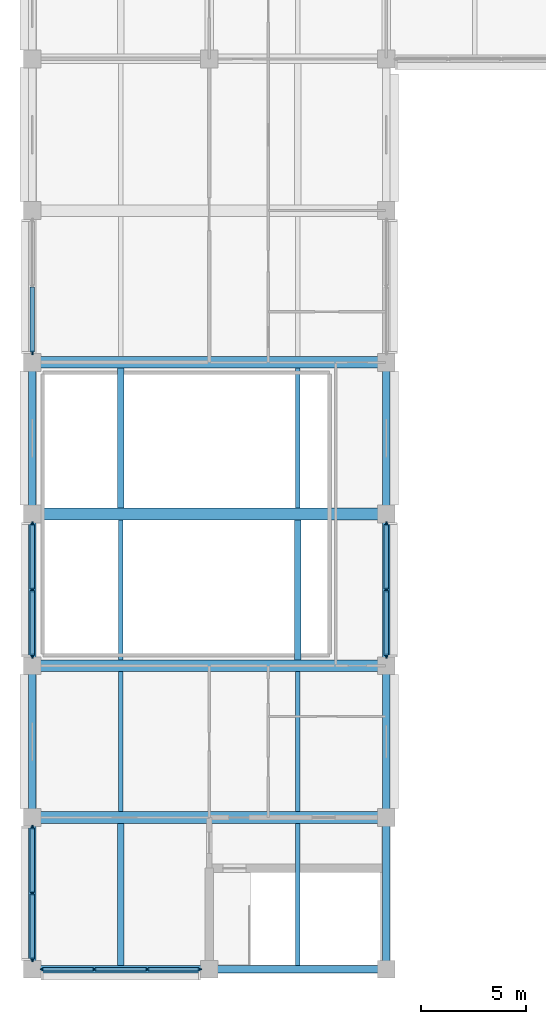
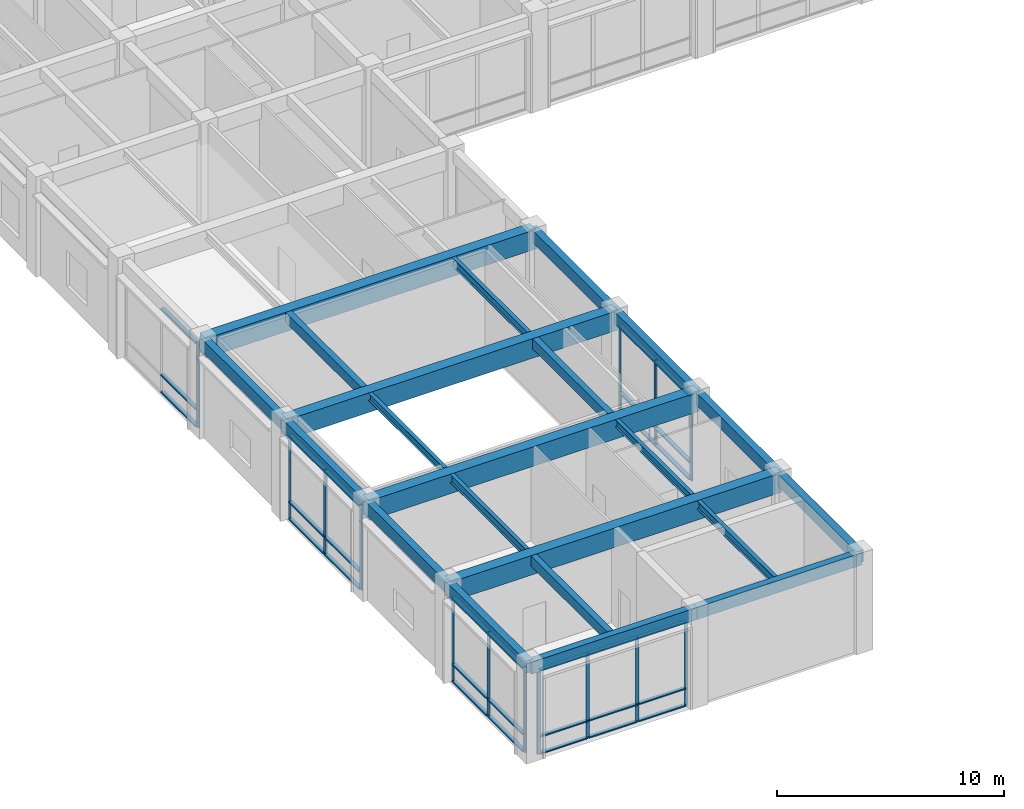
# One storey, part 2 of 58: 44 members, 22 beams, 5 elements without a shape of their own.
"""IFC4 building model written with IfcOpenShell, lengths in metres."""

from ifc_helpers import new_model, si_unit, direction, frame, origin, origin_2d, place, context, subcontext, project, spatial, rectangle, i_section, extrude, material, layer, layer_set, material_profile, profile_set, type_object, element, aggregate, save


model = new_model("IFC4")

# Units and contexts
model_context = context("Model", 3, precision=1e-05, world=origin(), true_north=direction((0.0, 1.0)))
body_context = subcontext(model_context, "Body", "Model", "MODEL_VIEW")
ifc_project = project(units=[si_unit("LENGTHUNIT", "METRE"), si_unit("AREAUNIT", "SQUARE_METRE"), si_unit("VOLUMEUNIT", "CUBIC_METRE"), si_unit("PLANEANGLEUNIT", "RADIAN"), si_unit("MASSUNIT", "GRAM", prefix="KILO")], contexts=[model_context])

# Site, building, storey
site_placement = place(None, origin())
site = spatial("IfcSite", under=ifc_project, at=site_placement, CompositionType="ELEMENT")
building_placement = place(site_placement, origin())
building = spatial("IfcBuilding", under=site, at=building_placement, Name="Chengyuan Square Courthouse", CompositionType="ELEMENT")
storey_placement = place(building_placement, frame((0.0, 0.0, 16.199951171875)))
storey = spatial("IfcBuildingStorey", under=building, at=storey_placement, Name="L04", CompositionType="ELEMENT", Elevation=16.199951171875)

# Beams
ifc_material_1 = material(Name="Concrete C40", Category="concrete")
ifc_material_profile_1 = material_profile(ifc_material_1, rectangle(XDim=0.35009765625, YDim=0.64990234375, at=origin_2d()), Name="RC-BM-350x650")
ifc_profile_set_1 = profile_set([ifc_material_profile_1], Name="Concrete C40")
beam_type_1 = type_object("IfcBeamType", Name="BM-03", PredefinedType="SPANDREL", material=ifc_profile_set_1)
beam_1_placement = place(storey_placement, frame((0.0, 36.0, 4.875), z_axis=(1.0, 0.0, 0.0), x_axis=(0.0, 1.0, 0.0)))
element("IfcBeam", 1, at=beam_1_placement, inside=storey, type_object=beam_type_1, Name="Girder BM-L04-2843", PredefinedType="SPANDREL", context=body_context, shape_type="SweptSolid", body=[
    extrude(rectangle(XDim=0.35009765625, YDim=0.64990234375, at=origin_2d()), origin(), (0.0, 0.0, 1.0), 8.39990234375),
])
beam_2_placement = place(storey_placement, frame((8.39990234375, 36.0, 4.875), z_axis=(1.0, 0.0, 0.0), x_axis=(0.0, 1.0, 0.0)))
element("IfcBeam", 2, at=beam_2_placement, inside=storey, type_object=beam_type_1, Name="Girder BM-L04-2844", PredefinedType="SPANDREL", context=body_context, shape_type="SweptSolid", body=[
    extrude(rectangle(XDim=0.35009765625, YDim=0.64990234375, at=origin_2d()), origin(), (0.0, 0.0, 1.0), 8.400146484375),
])
for number, where, z_axis, x_axis, name in (
    (3, (0.0, 36.0, 4.875), (0.0, 1.0, 0.0), (-1.0, 0.0, 0.0), "Girder BM-L04-2969"),
    (4, (0.0, 43.199951171875, 4.875), (0.0, 1.0, 0.0), (-1.0, 0.0, 0.0), "Girder BM-L04-2970"),
):
    element("IfcBeam", number, at=place(storey_placement, frame(where, z_axis=z_axis, x_axis=x_axis)), inside=storey, type_object=beam_type_1, Name=name, PredefinedType="SPANDREL", context=body_context, shape_type="SweptSolid", body=[
        extrude(rectangle(XDim=0.35009765625, YDim=0.64990234375, at=origin_2d()), origin(), (0.0, 0.0, 1.0), 7.199951171875),
    ])
beam_3_placement = place(storey_placement, frame((0.0, 50.39990234375, 4.875), z_axis=(0.0, 1.0, 0.0), x_axis=(-1.0, 0.0, 0.0)))
element("IfcBeam", 5, at=beam_3_placement, inside=storey, type_object=beam_type_1, Name="Girder BM-L04-2971", PredefinedType="SPANDREL", context=body_context, shape_type="SweptSolid", body=[
    extrude(rectangle(XDim=0.35009765625, YDim=0.64990234375, at=origin_2d()), origin(), (0.0, 0.0, 1.0), 7.2001953125),
])
for number, where, z_axis, x_axis, name in (
    (6, (0.0, 57.60009765625, 4.875), (0.0, 1.0, 0.0), (-1.0, 0.0, 0.0), "Girder BM-L04-2972"),
    (7, (16.800048828125, 36.0, 4.875), (0.0, 1.0, 0.0), (-1.0, 0.0, 0.0), "Girder BM-L04-2983"),
    (8, (16.800048828125, 43.199951171875, 4.875), (0.0, 1.0, 0.0), (-1.0, 0.0, 0.0), "Girder BM-L04-2984"),
):
    element("IfcBeam", number, at=place(storey_placement, frame(where, z_axis=z_axis, x_axis=x_axis)), inside=storey, type_object=beam_type_1, Name=name, PredefinedType="SPANDREL", context=body_context, shape_type="SweptSolid", body=[
        extrude(rectangle(XDim=0.35009765625, YDim=0.64990234375, at=origin_2d()), origin(), (0.0, 0.0, 1.0), 7.199951171875),
    ])
beam_4_placement = place(storey_placement, frame((16.800048828125, 50.39990234375, 4.875), z_axis=(0.0, 1.0, 0.0), x_axis=(-1.0, 0.0, 0.0)))
element("IfcBeam", 9, at=beam_4_placement, inside=storey, type_object=beam_type_1, Name="Girder BM-L04-2985", PredefinedType="SPANDREL", context=body_context, shape_type="SweptSolid", body=[
    extrude(rectangle(XDim=0.35009765625, YDim=0.64990234375, at=origin_2d()), origin(), (0.0, 0.0, 1.0), 7.2001953125),
])
beam_5_placement = place(storey_placement, frame((16.800048828125, 57.60009765625, 4.875), z_axis=(0.0, 1.0, 0.0), x_axis=(-1.0, 0.0, 0.0)))
element("IfcBeam", 10, at=beam_5_placement, inside=storey, type_object=beam_type_1, Name="Girder BM-L04-2986", PredefinedType="SPANDREL", context=body_context, shape_type="SweptSolid", body=[
    extrude(rectangle(XDim=0.35009765625, YDim=0.64990234375, at=origin_2d()), origin(), (0.0, 0.0, 1.0), 7.199951171875),
])
ifc_material_profile_2 = material_profile(ifc_material_1, rectangle(XDim=0.300048828125, YDim=0.550048828125, at=origin_2d()), Name="RC-BM-300x550")
ifc_profile_set_2 = profile_set([ifc_material_profile_2], Name="Concrete C40")
beam_type_2 = type_object("IfcBeamType", Name="BM-04", PredefinedType="BEAM", material=ifc_profile_set_2)
beam_6_placement = place(storey_placement, frame((4.199951171875, 36.175048828125, 4.925048828125), z_axis=(0.0, 1.0, 0.0), x_axis=(-1.0, 0.0, 0.0)))
element("IfcBeam", 11, at=beam_6_placement, inside=storey, type_object=beam_type_2, Name="Secondary Floor Beam SBM-L04-3093", PredefinedType="BEAM", context=body_context, shape_type="SweptSolid", body=[
    extrude(rectangle(XDim=0.300048828125, YDim=0.550048828125, at=origin_2d()), origin(), (0.0, 0.0, 1.0), 6.75),
])
for number, where, z_axis, x_axis, name in (
    (12, (4.199951171875, 57.875, 4.925048828125), (0.0, 1.0, 0.0), (-1.0, 0.0, 0.0), "Secondary Floor Beam SBM-L04-3096"),
    (13, (12.60009765625, 50.675048828125, 4.925048828125), (0.0, 1.0, 0.0), (-1.0, 0.0, 0.0), "Secondary Floor Beam SBM-L04-3105"),
):
    element("IfcBeam", number, at=place(storey_placement, frame(where, z_axis=z_axis, x_axis=x_axis)), inside=storey, type_object=beam_type_2, Name=name, PredefinedType="BEAM", context=body_context, shape_type="SweptSolid", body=[
        extrude(rectangle(XDim=0.300048828125, YDim=0.550048828125, at=origin_2d()), origin(), (0.0, 0.0, 1.0), 6.64990234375),
    ])
ifc_material_2 = material(Name="Steel Q355B", Category="steel")
ifc_material_profile_3 = material_profile(ifc_material_2, i_section(OverallWidth=0.199951171875, OverallDepth=0.449951171875, WebThickness=0.009033203125, FlangeThickness=0.013916015625, at=origin_2d()), Name="HN 450x200x9x14")
ifc_profile_set_3 = profile_set([ifc_material_profile_3], Name="Steel Q355B")
beam_type_3 = type_object("IfcBeamType", Name="BM-06", PredefinedType="BEAM", material=ifc_profile_set_3)
beam_7_placement = place(storey_placement, frame((4.199951171875, 43.47509765625, 4.97509765625), z_axis=(0.0, 1.0, 0.0), x_axis=(-1.0, 0.0, 0.0)))
element("IfcBeam", 14, at=beam_7_placement, inside=storey, type_object=beam_type_3, Name="Secondary Floor Beam SBM-L04-3094", PredefinedType="BEAM", context=body_context, shape_type="SweptSolid", body=[
    extrude(i_section(OverallWidth=0.199951171875, OverallDepth=0.449951171875, WebThickness=0.009033203125, FlangeThickness=0.013916015625, at=origin_2d()), origin(), (0.0, 0.0, 1.0), 6.64990234375),
])
beam_8_placement = place(storey_placement, frame((12.60009765625, 36.175048828125, 4.97509765625), z_axis=(0.0, 1.0, 0.0), x_axis=(-1.0, 0.0, 0.0)))
element("IfcBeam", 15, at=beam_8_placement, inside=storey, type_object=beam_type_3, Name="Secondary Floor Beam SBM-L04-3103", PredefinedType="BEAM", context=body_context, shape_type="SweptSolid", body=[
    extrude(i_section(OverallWidth=0.199951171875, OverallDepth=0.449951171875, WebThickness=0.009033203125, FlangeThickness=0.013916015625, at=origin_2d()), origin(), (0.0, 0.0, 1.0), 6.75),
])
beam_9_placement = place(storey_placement, frame((12.60009765625, 57.875, 4.97509765625), z_axis=(0.0, 1.0, 0.0), x_axis=(-1.0, 0.0, 0.0)))
element("IfcBeam", 16, at=beam_9_placement, inside=storey, type_object=beam_type_3, Name="Secondary Floor Beam SBM-L04-3106", PredefinedType="BEAM", context=body_context, shape_type="SweptSolid", body=[
    extrude(i_section(OverallWidth=0.199951171875, OverallDepth=0.449951171875, WebThickness=0.009033203125, FlangeThickness=0.013916015625, at=origin_2d()), origin(), (0.0, 0.0, 1.0), 6.64990234375),
])
ifc_material_profile_4 = material_profile(ifc_material_2, i_section(OverallWidth=0.199951171875, OverallDepth=0.39990234375, WebThickness=0.008056640625, FlangeThickness=0.012939453125, at=origin_2d()), Name="HN 400x200x8x13")
ifc_profile_set_4 = profile_set([ifc_material_profile_4], Name="Steel Q355B")
beam_type_4 = type_object("IfcBeamType", Name="BM-07", PredefinedType="BEAM", material=ifc_profile_set_4)
for number, where, z_axis, x_axis, name in (
    (17, (4.199951171875, 50.675048828125, 5.0), (0.0, 1.0, 0.0), (-1.0, 0.0, 0.0), "Secondary Floor Beam SBM-L04-3095"),
    (18, (12.60009765625, 43.47509765625, 5.0), (0.0, 1.0, 0.0), (-1.0, 0.0, 0.0), "Secondary Floor Beam SBM-L04-3104"),
):
    element("IfcBeam", number, at=place(storey_placement, frame(where, z_axis=z_axis, x_axis=x_axis)), inside=storey, type_object=beam_type_4, Name=name, PredefinedType="BEAM", context=body_context, shape_type="SweptSolid", body=[
        extrude(i_section(OverallWidth=0.199951171875, OverallDepth=0.39990234375, WebThickness=0.008056640625, FlangeThickness=0.012939453125, at=origin_2d()), origin(), (0.0, 0.0, 1.0), 6.64990234375),
    ])

# Curtain wall, members
ifc_material_3 = material(Name="Unitised Aluminium and Triple Low-E Glass", Category="aluminium")
ifc_layer_1 = layer(ifc_material_3, 0.179931640625)
ifc_layer_set_1 = layer_set([ifc_layer_1], Name="Unitised Aluminium and Triple Low-E Glass")
curtain_wall_type_1 = type_object("IfcCurtainWallType", Name="CW-10", PredefinedType="USERDEFINED", material=ifc_layer_set_1)
curtain_wall_1_placement = place(storey_placement, origin())
curtain_wall_1 = element("IfcCurtainWall", 19, at=curtain_wall_1_placement, inside=storey, type_object=curtain_wall_type_1, Name="Unitised Curtain Wall CW-L04-127", ObjectType="UNITISED CURTAIN WALL", PredefinedType="USERDEFINED")
ifc_material_4 = material(Name="Aluminium 6063-T6 Frame", Category="aluminium")
ifc_material_profile_5 = material_profile(ifc_material_4, rectangle(XDim=0.06494140625, YDim=0.179931640625, at=origin_2d()), Name="CW-MUL-65x180")
ifc_profile_set_5 = profile_set([ifc_material_profile_5], Name="Aluminium 6063-T6 Frame")
member_type_1 = type_object("IfcMemberType", Name="CWM-02", PredefinedType="MULLION", material=ifc_profile_set_5)
member_1_placement = place(storey_placement, frame((0.45751953125, 36.0, 0.0), z_axis=(0.0, 0.0, 1.0), x_axis=(0.0, 1.0, 0.0)))
member_1 = element("IfcMember", 20, at=member_1_placement, type_object=member_type_1, Name="CW-10 mullion 1", PredefinedType="MULLION", context=body_context, shape_type="SweptSolid", body=[
    extrude(rectangle(XDim=0.06494140625, YDim=0.179931640625, at=origin_2d()), origin(), (0.0, 0.0, 1.0), 4.550048828125),
])
member_2_placement = place(storey_placement, frame((2.941650390625, 36.0, 0.0), z_axis=(0.0, 0.0, 1.0), x_axis=(0.0, 1.0, 0.0)))
member_2 = element("IfcMember", 21, at=member_2_placement, type_object=member_type_1, Name="CW-10 mullion 2", PredefinedType="MULLION", context=body_context, shape_type="SweptSolid", body=[
    extrude(rectangle(XDim=0.06494140625, YDim=0.179931640625, at=origin_2d()), origin(), (0.0, 0.0, 1.0), 4.550048828125),
])
member_3_placement = place(storey_placement, frame((5.458251953125, 36.0, 0.0), z_axis=(0.0, 0.0, 1.0), x_axis=(0.0, 1.0, 0.0)))
member_3 = element("IfcMember", 22, at=member_3_placement, type_object=member_type_1, Name="CW-10 mullion 3", PredefinedType="MULLION", context=body_context, shape_type="SweptSolid", body=[
    extrude(rectangle(XDim=0.06494140625, YDim=0.179931640625, at=origin_2d()), origin(), (0.0, 0.0, 1.0), 4.550048828125),
])
member_4_placement = place(storey_placement, frame((7.9423828125, 36.0, 0.0), z_axis=(0.0, 0.0, 1.0), x_axis=(0.0, 1.0, 0.0)))
member_4 = element("IfcMember", 23, at=member_4_placement, type_object=member_type_1, Name="CW-10 mullion 4", PredefinedType="MULLION", context=body_context, shape_type="SweptSolid", body=[
    extrude(rectangle(XDim=0.06494140625, YDim=0.179931640625, at=origin_2d()), origin(), (0.0, 0.0, 1.0), 4.550048828125),
])

ifc_layer_2 = layer(ifc_material_3, 0.199951171875)
ifc_layer_set_2 = layer_set([ifc_layer_2], Name="Unitised Aluminium and Triple Low-E Glass")
curtain_wall_type_2 = type_object("IfcCurtainWallType", Name="CW-23", PredefinedType="USERDEFINED", material=ifc_layer_set_2)
curtain_wall_2_placement = place(storey_placement, origin())
curtain_wall_2 = element("IfcCurtainWall", 24, at=curtain_wall_2_placement, inside=storey, type_object=curtain_wall_type_2, Name="Unitised Curtain Wall CW-L04-128", ObjectType="UNITISED CURTAIN WALL", PredefinedType="USERDEFINED")
ifc_material_profile_6 = material_profile(ifc_material_4, rectangle(XDim=0.070068359375, YDim=0.199951171875, at=origin_2d()), Name="CW-MUL-70x200")
ifc_profile_set_6 = profile_set([ifc_material_profile_6], Name="Aluminium 6063-T6 Frame")
member_type_2 = type_object("IfcMemberType", Name="CWM-03", PredefinedType="MULLION", material=ifc_profile_set_6)
member_5_placement = place(storey_placement, frame((0.0, 36.4599609375, 0.0), z_axis=(0.0, 0.0, 1.0), x_axis=(-1.0, 0.0, 0.0)))
member_5 = element("IfcMember", 25, at=member_5_placement, type_object=member_type_2, Name="CW-23 mullion 1", PredefinedType="MULLION", context=body_context, shape_type="SweptSolid", body=[
    extrude(rectangle(XDim=0.070068359375, YDim=0.199951171875, at=origin_2d()), origin(), (0.0, 0.0, 1.0), 4.550048828125),
])
member_6_placement = place(storey_placement, frame((0.0, 39.60009765625, 0.0), z_axis=(0.0, 0.0, 1.0), x_axis=(-1.0, 0.0, 0.0)))
member_6 = element("IfcMember", 26, at=member_6_placement, type_object=member_type_2, Name="CW-23 mullion 2", PredefinedType="MULLION", context=body_context, shape_type="SweptSolid", body=[
    extrude(rectangle(XDim=0.070068359375, YDim=0.199951171875, at=origin_2d()), origin(), (0.0, 0.0, 1.0), 4.550048828125),
])
member_7_placement = place(storey_placement, frame((0.0, 42.739990234375, 0.0), z_axis=(0.0, 0.0, 1.0), x_axis=(-1.0, 0.0, 0.0)))
member_7 = element("IfcMember", 27, at=member_7_placement, type_object=member_type_2, Name="CW-23 mullion 3", PredefinedType="MULLION", context=body_context, shape_type="SweptSolid", body=[
    extrude(rectangle(XDim=0.070068359375, YDim=0.199951171875, at=origin_2d()), origin(), (0.0, 0.0, 1.0), 4.550048828125),
])

curtain_wall_3_placement = place(storey_placement, origin())
curtain_wall_3 = element("IfcCurtainWall", 28, at=curtain_wall_3_placement, inside=storey, type_object=curtain_wall_type_2, Name="Unitised Curtain Wall CW-L04-129", ObjectType="UNITISED CURTAIN WALL", PredefinedType="USERDEFINED")
member_8_placement = place(storey_placement, frame((0.0, 50.860107421875, 0.0), z_axis=(0.0, 0.0, 1.0), x_axis=(-1.0, 0.0, 0.0)))
member_8 = element("IfcMember", 29, at=member_8_placement, type_object=member_type_2, Name="CW-23 mullion 1", PredefinedType="MULLION", context=body_context, shape_type="SweptSolid", body=[
    extrude(rectangle(XDim=0.070068359375, YDim=0.199951171875, at=origin_2d()), origin(), (0.0, 0.0, 1.0), 4.550048828125),
])
member_9_placement = place(storey_placement, frame((0.0, 54.0, 0.0), z_axis=(0.0, 0.0, 1.0), x_axis=(-1.0, 0.0, 0.0)))
member_9 = element("IfcMember", 30, at=member_9_placement, type_object=member_type_2, Name="CW-23 mullion 2", PredefinedType="MULLION", context=body_context, shape_type="SweptSolid", body=[
    extrude(rectangle(XDim=0.070068359375, YDim=0.199951171875, at=origin_2d()), origin(), (0.0, 0.0, 1.0), 4.550048828125),
])
member_10_placement = place(storey_placement, frame((0.0, 57.139892578125, 0.0), z_axis=(0.0, 0.0, 1.0), x_axis=(-1.0, 0.0, 0.0)))
member_10 = element("IfcMember", 31, at=member_10_placement, type_object=member_type_2, Name="CW-23 mullion 3", PredefinedType="MULLION", context=body_context, shape_type="SweptSolid", body=[
    extrude(rectangle(XDim=0.070068359375, YDim=0.199951171875, at=origin_2d()), origin(), (0.0, 0.0, 1.0), 4.550048828125),
])

# Curtain wall, member
curtain_wall_4_placement = place(storey_placement, origin())
curtain_wall_4 = element("IfcCurtainWall", 32, at=curtain_wall_4_placement, inside=storey, type_object=curtain_wall_type_2, Name="Unitised Curtain Wall CW-L04-130", ObjectType="UNITISED CURTAIN WALL", PredefinedType="USERDEFINED")
member_11_placement = place(storey_placement, frame((0.0, 65.260009765625, 0.0), z_axis=(0.0, 0.0, 1.0), x_axis=(-1.0, 0.0, 0.0)))
member_11 = element("IfcMember", 33, at=member_11_placement, type_object=member_type_2, Name="CW-23 mullion 1", PredefinedType="MULLION", context=body_context, shape_type="SweptSolid", body=[
    extrude(rectangle(XDim=0.070068359375, YDim=0.199951171875, at=origin_2d()), origin(), (0.0, 0.0, 1.0), 4.550048828125),
])

# Curtain wall, members
curtain_wall_5_placement = place(storey_placement, origin())
curtain_wall_5 = element("IfcCurtainWall", 34, at=curtain_wall_5_placement, inside=storey, type_object=curtain_wall_type_2, Name="Unitised Curtain Wall CW-L04-131", ObjectType="UNITISED CURTAIN WALL", PredefinedType="USERDEFINED")
member_12_placement = place(storey_placement, frame((16.800048828125, 50.860107421875, 0.0), z_axis=(0.0, 0.0, 1.0), x_axis=(-1.0, 0.0, 0.0)))
member_12 = element("IfcMember", 35, at=member_12_placement, type_object=member_type_2, Name="CW-23 mullion 1", PredefinedType="MULLION", context=body_context, shape_type="SweptSolid", body=[
    extrude(rectangle(XDim=0.070068359375, YDim=0.199951171875, at=origin_2d()), origin(), (0.0, 0.0, 1.0), 4.550048828125),
])
member_13_placement = place(storey_placement, frame((16.800048828125, 54.0, 0.0), z_axis=(0.0, 0.0, 1.0), x_axis=(-1.0, 0.0, 0.0)))
member_13 = element("IfcMember", 36, at=member_13_placement, type_object=member_type_2, Name="CW-23 mullion 2", PredefinedType="MULLION", context=body_context, shape_type="SweptSolid", body=[
    extrude(rectangle(XDim=0.070068359375, YDim=0.199951171875, at=origin_2d()), origin(), (0.0, 0.0, 1.0), 4.550048828125),
])
member_14_placement = place(storey_placement, frame((16.800048828125, 57.139892578125, 0.0), z_axis=(0.0, 0.0, 1.0), x_axis=(-1.0, 0.0, 0.0)))
member_14 = element("IfcMember", 37, at=member_14_placement, type_object=member_type_2, Name="CW-23 mullion 3", PredefinedType="MULLION", context=body_context, shape_type="SweptSolid", body=[
    extrude(rectangle(XDim=0.070068359375, YDim=0.199951171875, at=origin_2d()), origin(), (0.0, 0.0, 1.0), 4.550048828125),
])

# Member
ifc_material_profile_7 = material_profile(ifc_material_4, rectangle(XDim=0.179931640625, YDim=0.06494140625, at=origin_2d()), Name="CW-TRN-65x140")
ifc_profile_set_7 = profile_set([ifc_material_profile_7], Name="Aluminium 6063-T6 Frame")
member_type_3 = type_object("IfcMemberType", Name="CWT-02", PredefinedType="USERDEFINED", material=ifc_profile_set_7)
member_15_placement = place(storey_placement, frame((0.489990234375, 36.0, 0.032470703125), z_axis=(1.0, 0.0, 0.0), x_axis=(0.0, 1.0, 0.0)))
member_15 = element("IfcMember", 38, at=member_15_placement, type_object=member_type_3, Name="CW-10 transom 1.1", ObjectType="TRANSOM", PredefinedType="USERDEFINED", context=body_context, shape_type="SweptSolid", body=[
    extrude(rectangle(XDim=0.179931640625, YDim=0.06494140625, at=origin_2d()), origin(), (0.0, 0.0, 1.0), 2.419189453125),
])

member_16_placement = place(storey_placement, frame((0.489990234375, 36.0, 0.949951171875), z_axis=(1.0, 0.0, 0.0), x_axis=(0.0, 1.0, 0.0)))
member_16 = element("IfcMember", 39, at=member_16_placement, type_object=member_type_3, Name="CW-10 transom 1.2", ObjectType="TRANSOM", PredefinedType="USERDEFINED", context=body_context, shape_type="SweptSolid", body=[
    extrude(rectangle(XDim=0.179931640625, YDim=0.06494140625, at=origin_2d()), origin(), (0.0, 0.0, 1.0), 2.419189453125),
])

member_17_placement = place(storey_placement, frame((0.489990234375, 36.0, 4.517578125), z_axis=(1.0, 0.0, 0.0), x_axis=(0.0, 1.0, 0.0)))
member_17 = element("IfcMember", 40, at=member_17_placement, type_object=member_type_3, Name="CW-10 transom 1.3", ObjectType="TRANSOM", PredefinedType="USERDEFINED", context=body_context, shape_type="SweptSolid", body=[
    extrude(rectangle(XDim=0.179931640625, YDim=0.06494140625, at=origin_2d()), origin(), (0.0, 0.0, 1.0), 2.419189453125),
])

member_18_placement = place(storey_placement, frame((2.97412109375, 36.0, 0.032470703125), z_axis=(1.0, 0.0, 0.0), x_axis=(0.0, 1.0, 0.0)))
member_18 = element("IfcMember", 41, at=member_18_placement, type_object=member_type_3, Name="CW-10 transom 2.1", ObjectType="TRANSOM", PredefinedType="USERDEFINED", context=body_context, shape_type="SweptSolid", body=[
    extrude(rectangle(XDim=0.179931640625, YDim=0.06494140625, at=origin_2d()), origin(), (0.0, 0.0, 1.0), 2.45166015625),
])

member_19_placement = place(storey_placement, frame((2.97412109375, 36.0, 0.949951171875), z_axis=(1.0, 0.0, 0.0), x_axis=(0.0, 1.0, 0.0)))
member_19 = element("IfcMember", 42, at=member_19_placement, type_object=member_type_3, Name="CW-10 transom 2.2", ObjectType="TRANSOM", PredefinedType="USERDEFINED", context=body_context, shape_type="SweptSolid", body=[
    extrude(rectangle(XDim=0.179931640625, YDim=0.06494140625, at=origin_2d()), origin(), (0.0, 0.0, 1.0), 2.45166015625),
])

member_20_placement = place(storey_placement, frame((2.97412109375, 36.0, 4.517578125), z_axis=(1.0, 0.0, 0.0), x_axis=(0.0, 1.0, 0.0)))
member_20 = element("IfcMember", 43, at=member_20_placement, type_object=member_type_3, Name="CW-10 transom 2.3", ObjectType="TRANSOM", PredefinedType="USERDEFINED", context=body_context, shape_type="SweptSolid", body=[
    extrude(rectangle(XDim=0.179931640625, YDim=0.06494140625, at=origin_2d()), origin(), (0.0, 0.0, 1.0), 2.45166015625),
])

member_21_placement = place(storey_placement, frame((5.49072265625, 36.0, 0.032470703125), z_axis=(1.0, 0.0, 0.0), x_axis=(0.0, 1.0, 0.0)))
member_21 = element("IfcMember", 44, at=member_21_placement, type_object=member_type_3, Name="CW-10 transom 3.1", ObjectType="TRANSOM", PredefinedType="USERDEFINED", context=body_context, shape_type="SweptSolid", body=[
    extrude(rectangle(XDim=0.179931640625, YDim=0.06494140625, at=origin_2d()), origin(), (0.0, 0.0, 1.0), 2.419189453125),
])

member_22_placement = place(storey_placement, frame((5.49072265625, 36.0, 0.949951171875), z_axis=(1.0, 0.0, 0.0), x_axis=(0.0, 1.0, 0.0)))
member_22 = element("IfcMember", 45, at=member_22_placement, type_object=member_type_3, Name="CW-10 transom 3.2", ObjectType="TRANSOM", PredefinedType="USERDEFINED", context=body_context, shape_type="SweptSolid", body=[
    extrude(rectangle(XDim=0.179931640625, YDim=0.06494140625, at=origin_2d()), origin(), (0.0, 0.0, 1.0), 2.419189453125),
])

member_23_placement = place(storey_placement, frame((5.49072265625, 36.0, 4.517578125), z_axis=(1.0, 0.0, 0.0), x_axis=(0.0, 1.0, 0.0)))
member_23 = element("IfcMember", 46, at=member_23_placement, type_object=member_type_3, Name="CW-10 transom 3.3", ObjectType="TRANSOM", PredefinedType="USERDEFINED", context=body_context, shape_type="SweptSolid", body=[
    extrude(rectangle(XDim=0.179931640625, YDim=0.06494140625, at=origin_2d()), origin(), (0.0, 0.0, 1.0), 2.419189453125),
])

aggregate(curtain_wall_1, [member_1, member_2, member_3, member_4, member_15, member_16, member_17, member_18, member_19, member_20, member_21, member_22, member_23])

ifc_material_profile_8 = material_profile(ifc_material_4, rectangle(XDim=0.199951171875, YDim=0.070068359375, at=origin_2d()), Name="CW-TRN-70x160")
ifc_profile_set_8 = profile_set([ifc_material_profile_8], Name="Aluminium 6063-T6 Frame")
member_type_4 = type_object("IfcMemberType", Name="CWT-03", PredefinedType="USERDEFINED", material=ifc_profile_set_8)
member_24_placement = place(storey_placement, frame((0.0, 36.4951171875, 0.03515625), z_axis=(0.0, 1.0, 0.0), x_axis=(-1.0, 0.0, 0.0)))
member_24 = element("IfcMember", 47, at=member_24_placement, type_object=member_type_4, Name="CW-23 transom 1.1", ObjectType="TRANSOM", PredefinedType="USERDEFINED", context=body_context, shape_type="SweptSolid", body=[
    extrude(rectangle(XDim=0.199951171875, YDim=0.070068359375, at=origin_2d()), origin(), (0.0, 0.0, 1.0), 3.06982421875),
])

member_25_placement = place(storey_placement, frame((0.0, 36.4951171875, 0.949951171875), z_axis=(0.0, 1.0, 0.0), x_axis=(-1.0, 0.0, 0.0)))
member_25 = element("IfcMember", 48, at=member_25_placement, type_object=member_type_4, Name="CW-23 transom 1.2", ObjectType="TRANSOM", PredefinedType="USERDEFINED", context=body_context, shape_type="SweptSolid", body=[
    extrude(rectangle(XDim=0.199951171875, YDim=0.070068359375, at=origin_2d()), origin(), (0.0, 0.0, 1.0), 3.06982421875),
])

member_26_placement = place(storey_placement, frame((0.0, 36.4951171875, 4.51513671875), z_axis=(0.0, 1.0, 0.0), x_axis=(-1.0, 0.0, 0.0)))
member_26 = element("IfcMember", 49, at=member_26_placement, type_object=member_type_4, Name="CW-23 transom 1.3", ObjectType="TRANSOM", PredefinedType="USERDEFINED", context=body_context, shape_type="SweptSolid", body=[
    extrude(rectangle(XDim=0.199951171875, YDim=0.070068359375, at=origin_2d()), origin(), (0.0, 0.0, 1.0), 3.06982421875),
])

member_27_placement = place(storey_placement, frame((0.0, 39.635009765625, 0.03515625), z_axis=(0.0, 1.0, 0.0), x_axis=(-1.0, 0.0, 0.0)))
member_27 = element("IfcMember", 50, at=member_27_placement, type_object=member_type_4, Name="CW-23 transom 2.1", ObjectType="TRANSOM", PredefinedType="USERDEFINED", context=body_context, shape_type="SweptSolid", body=[
    extrude(rectangle(XDim=0.199951171875, YDim=0.070068359375, at=origin_2d()), origin(), (0.0, 0.0, 1.0), 3.070068359375),
])

member_28_placement = place(storey_placement, frame((0.0, 39.635009765625, 0.949951171875), z_axis=(0.0, 1.0, 0.0), x_axis=(-1.0, 0.0, 0.0)))
member_28 = element("IfcMember", 51, at=member_28_placement, type_object=member_type_4, Name="CW-23 transom 2.2", ObjectType="TRANSOM", PredefinedType="USERDEFINED", context=body_context, shape_type="SweptSolid", body=[
    extrude(rectangle(XDim=0.199951171875, YDim=0.070068359375, at=origin_2d()), origin(), (0.0, 0.0, 1.0), 3.070068359375),
])

member_29_placement = place(storey_placement, frame((0.0, 39.635009765625, 4.51513671875), z_axis=(0.0, 1.0, 0.0), x_axis=(-1.0, 0.0, 0.0)))
member_29 = element("IfcMember", 52, at=member_29_placement, type_object=member_type_4, Name="CW-23 transom 2.3", ObjectType="TRANSOM", PredefinedType="USERDEFINED", context=body_context, shape_type="SweptSolid", body=[
    extrude(rectangle(XDim=0.199951171875, YDim=0.070068359375, at=origin_2d()), origin(), (0.0, 0.0, 1.0), 3.070068359375),
])

aggregate(curtain_wall_2, [member_5, member_6, member_7, member_24, member_25, member_26, member_27, member_28, member_29])

member_30_placement = place(storey_placement, frame((0.0, 50.89501953125, 0.03515625), z_axis=(0.0, 1.0, 0.0), x_axis=(-1.0, 0.0, 0.0)))
member_30 = element("IfcMember", 53, at=member_30_placement, type_object=member_type_4, Name="CW-23 transom 1.1", ObjectType="TRANSOM", PredefinedType="USERDEFINED", context=body_context, shape_type="SweptSolid", body=[
    extrude(rectangle(XDim=0.199951171875, YDim=0.070068359375, at=origin_2d()), origin(), (0.0, 0.0, 1.0), 3.070068359375),
])

member_31_placement = place(storey_placement, frame((0.0, 50.89501953125, 0.949951171875), z_axis=(0.0, 1.0, 0.0), x_axis=(-1.0, 0.0, 0.0)))
member_31 = element("IfcMember", 54, at=member_31_placement, type_object=member_type_4, Name="CW-23 transom 1.2", ObjectType="TRANSOM", PredefinedType="USERDEFINED", context=body_context, shape_type="SweptSolid", body=[
    extrude(rectangle(XDim=0.199951171875, YDim=0.070068359375, at=origin_2d()), origin(), (0.0, 0.0, 1.0), 3.070068359375),
])

member_32_placement = place(storey_placement, frame((0.0, 50.89501953125, 4.51513671875), z_axis=(0.0, 1.0, 0.0), x_axis=(-1.0, 0.0, 0.0)))
member_32 = element("IfcMember", 55, at=member_32_placement, type_object=member_type_4, Name="CW-23 transom 1.3", ObjectType="TRANSOM", PredefinedType="USERDEFINED", context=body_context, shape_type="SweptSolid", body=[
    extrude(rectangle(XDim=0.199951171875, YDim=0.070068359375, at=origin_2d()), origin(), (0.0, 0.0, 1.0), 3.070068359375),
])

member_33_placement = place(storey_placement, frame((0.0, 54.034912109375, 0.03515625), z_axis=(0.0, 1.0, 0.0), x_axis=(-1.0, 0.0, 0.0)))
member_33 = element("IfcMember", 56, at=member_33_placement, type_object=member_type_4, Name="CW-23 transom 2.1", ObjectType="TRANSOM", PredefinedType="USERDEFINED", context=body_context, shape_type="SweptSolid", body=[
    extrude(rectangle(XDim=0.199951171875, YDim=0.070068359375, at=origin_2d()), origin(), (0.0, 0.0, 1.0), 3.070068359375),
])

member_34_placement = place(storey_placement, frame((0.0, 54.034912109375, 0.949951171875), z_axis=(0.0, 1.0, 0.0), x_axis=(-1.0, 0.0, 0.0)))
member_34 = element("IfcMember", 57, at=member_34_placement, type_object=member_type_4, Name="CW-23 transom 2.2", ObjectType="TRANSOM", PredefinedType="USERDEFINED", context=body_context, shape_type="SweptSolid", body=[
    extrude(rectangle(XDim=0.199951171875, YDim=0.070068359375, at=origin_2d()), origin(), (0.0, 0.0, 1.0), 3.070068359375),
])

member_35_placement = place(storey_placement, frame((0.0, 54.034912109375, 4.51513671875), z_axis=(0.0, 1.0, 0.0), x_axis=(-1.0, 0.0, 0.0)))
member_35 = element("IfcMember", 58, at=member_35_placement, type_object=member_type_4, Name="CW-23 transom 2.3", ObjectType="TRANSOM", PredefinedType="USERDEFINED", context=body_context, shape_type="SweptSolid", body=[
    extrude(rectangle(XDim=0.199951171875, YDim=0.070068359375, at=origin_2d()), origin(), (0.0, 0.0, 1.0), 3.070068359375),
])

aggregate(curtain_wall_3, [member_8, member_9, member_10, member_30, member_31, member_32, member_33, member_34, member_35])

member_36_placement = place(storey_placement, frame((0.0, 65.294921875, 0.03515625), z_axis=(0.0, 1.0, 0.0), x_axis=(-1.0, 0.0, 0.0)))
member_36 = element("IfcMember", 59, at=member_36_placement, type_object=member_type_4, Name="CW-23 transom 1.1", ObjectType="TRANSOM", PredefinedType="USERDEFINED", context=body_context, shape_type="SweptSolid", body=[
    extrude(rectangle(XDim=0.199951171875, YDim=0.070068359375, at=origin_2d()), origin(), (0.0, 0.0, 1.0), 3.070068359375),
])

member_37_placement = place(storey_placement, frame((0.0, 65.294921875, 0.949951171875), z_axis=(0.0, 1.0, 0.0), x_axis=(-1.0, 0.0, 0.0)))
member_37 = element("IfcMember", 60, at=member_37_placement, type_object=member_type_4, Name="CW-23 transom 1.2", ObjectType="TRANSOM", PredefinedType="USERDEFINED", context=body_context, shape_type="SweptSolid", body=[
    extrude(rectangle(XDim=0.199951171875, YDim=0.070068359375, at=origin_2d()), origin(), (0.0, 0.0, 1.0), 3.070068359375),
])

member_38_placement = place(storey_placement, frame((0.0, 65.294921875, 4.51513671875), z_axis=(0.0, 1.0, 0.0), x_axis=(-1.0, 0.0, 0.0)))
member_38 = element("IfcMember", 61, at=member_38_placement, type_object=member_type_4, Name="CW-23 transom 1.3", ObjectType="TRANSOM", PredefinedType="USERDEFINED", context=body_context, shape_type="SweptSolid", body=[
    extrude(rectangle(XDim=0.199951171875, YDim=0.070068359375, at=origin_2d()), origin(), (0.0, 0.0, 1.0), 3.070068359375),
])

aggregate(curtain_wall_4, [member_11, member_36, member_37, member_38])

member_39_placement = place(storey_placement, frame((16.800048828125, 50.89501953125, 0.03515625), z_axis=(0.0, 1.0, 0.0), x_axis=(-1.0, 0.0, 0.0)))
member_39 = element("IfcMember", 62, at=member_39_placement, type_object=member_type_4, Name="CW-23 transom 1.1", ObjectType="TRANSOM", PredefinedType="USERDEFINED", context=body_context, shape_type="SweptSolid", body=[
    extrude(rectangle(XDim=0.199951171875, YDim=0.070068359375, at=origin_2d()), origin(), (0.0, 0.0, 1.0), 3.070068359375),
])

member_40_placement = place(storey_placement, frame((16.800048828125, 50.89501953125, 0.949951171875), z_axis=(0.0, 1.0, 0.0), x_axis=(-1.0, 0.0, 0.0)))
member_40 = element("IfcMember", 63, at=member_40_placement, type_object=member_type_4, Name="CW-23 transom 1.2", ObjectType="TRANSOM", PredefinedType="USERDEFINED", context=body_context, shape_type="SweptSolid", body=[
    extrude(rectangle(XDim=0.199951171875, YDim=0.070068359375, at=origin_2d()), origin(), (0.0, 0.0, 1.0), 3.070068359375),
])

member_41_placement = place(storey_placement, frame((16.800048828125, 50.89501953125, 4.51513671875), z_axis=(0.0, 1.0, 0.0), x_axis=(-1.0, 0.0, 0.0)))
member_41 = element("IfcMember", 64, at=member_41_placement, type_object=member_type_4, Name="CW-23 transom 1.3", ObjectType="TRANSOM", PredefinedType="USERDEFINED", context=body_context, shape_type="SweptSolid", body=[
    extrude(rectangle(XDim=0.199951171875, YDim=0.070068359375, at=origin_2d()), origin(), (0.0, 0.0, 1.0), 3.070068359375),
])

member_42_placement = place(storey_placement, frame((16.800048828125, 54.034912109375, 0.03515625), z_axis=(0.0, 1.0, 0.0), x_axis=(-1.0, 0.0, 0.0)))
member_42 = element("IfcMember", 65, at=member_42_placement, type_object=member_type_4, Name="CW-23 transom 2.1", ObjectType="TRANSOM", PredefinedType="USERDEFINED", context=body_context, shape_type="SweptSolid", body=[
    extrude(rectangle(XDim=0.199951171875, YDim=0.070068359375, at=origin_2d()), origin(), (0.0, 0.0, 1.0), 3.070068359375),
])

member_43_placement = place(storey_placement, frame((16.800048828125, 54.034912109375, 0.949951171875), z_axis=(0.0, 1.0, 0.0), x_axis=(-1.0, 0.0, 0.0)))
member_43 = element("IfcMember", 66, at=member_43_placement, type_object=member_type_4, Name="CW-23 transom 2.2", ObjectType="TRANSOM", PredefinedType="USERDEFINED", context=body_context, shape_type="SweptSolid", body=[
    extrude(rectangle(XDim=0.199951171875, YDim=0.070068359375, at=origin_2d()), origin(), (0.0, 0.0, 1.0), 3.070068359375),
])

member_44_placement = place(storey_placement, frame((16.800048828125, 54.034912109375, 4.51513671875), z_axis=(0.0, 1.0, 0.0), x_axis=(-1.0, 0.0, 0.0)))
member_44 = element("IfcMember", 67, at=member_44_placement, type_object=member_type_4, Name="CW-23 transom 2.3", ObjectType="TRANSOM", PredefinedType="USERDEFINED", context=body_context, shape_type="SweptSolid", body=[
    extrude(rectangle(XDim=0.199951171875, YDim=0.070068359375, at=origin_2d()), origin(), (0.0, 0.0, 1.0), 3.070068359375),
])

aggregate(curtain_wall_5, [member_12, member_13, member_14, member_39, member_40, member_41, member_42, member_43, member_44])

# Beams
ifc_material_5 = material(Name="Post-tensioned Concrete C50", Category="concrete")
ifc_material_profile_9 = material_profile(ifc_material_5, rectangle(XDim=0.550048828125, YDim=1.050048828125, at=origin_2d()), Name="PT-BM-550x1050")
ifc_profile_set_9 = profile_set([ifc_material_profile_9], Name="Post-tensioned Concrete C50")
beam_type_5 = type_object("IfcBeamType", Name="PT-01", PredefinedType="USERDEFINED", material=ifc_profile_set_9)
for number, where, z_axis, x_axis, name in (
    (68, (0.0, 43.199951171875, 4.675048828125), (1.0, 0.0, 0.0), (0.0, 1.0, 0.0), "Girder BM-L04-2847"),
    (69, (0.0, 50.39990234375, 4.675048828125), (1.0, 0.0, 0.0), (0.0, 1.0, 0.0), "Girder BM-L04-2849"),
    (70, (0.0, 57.60009765625, 4.675048828125), (1.0, 0.0, 0.0), (0.0, 1.0, 0.0), "Girder BM-L04-2851"),
    (71, (0.0, 64.800048828125, 4.675048828125), (1.0, 0.0, 0.0), (0.0, 1.0, 0.0), "Girder BM-L04-2853"),
):
    element("IfcBeam", number, at=place(storey_placement, frame(where, z_axis=z_axis, x_axis=x_axis)), inside=storey, type_object=beam_type_5, Name=name, ObjectType="GIRDER", PredefinedType="USERDEFINED", context=body_context, shape_type="SweptSolid", body=[
        extrude(rectangle(XDim=0.550048828125, YDim=1.050048828125, at=origin_2d()), origin(), (0.0, 0.0, 1.0), 16.800048828125),
    ])

save(model, "model.ifc")
